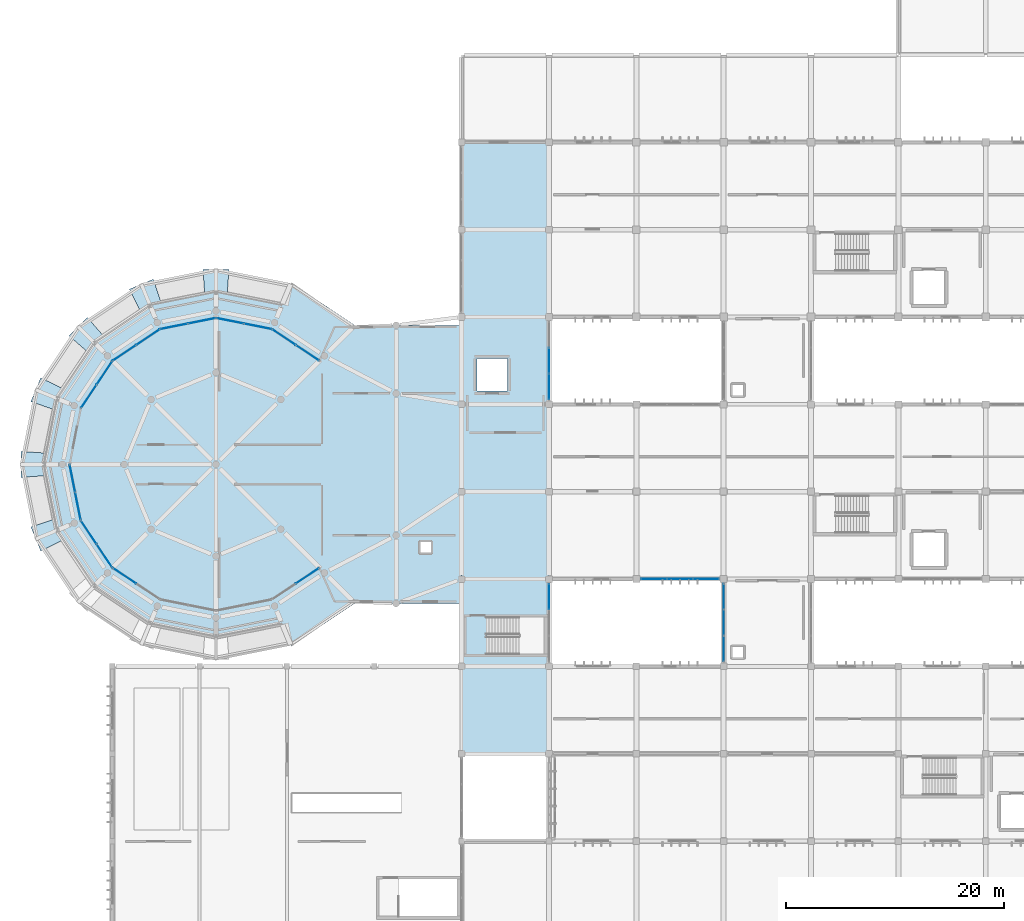
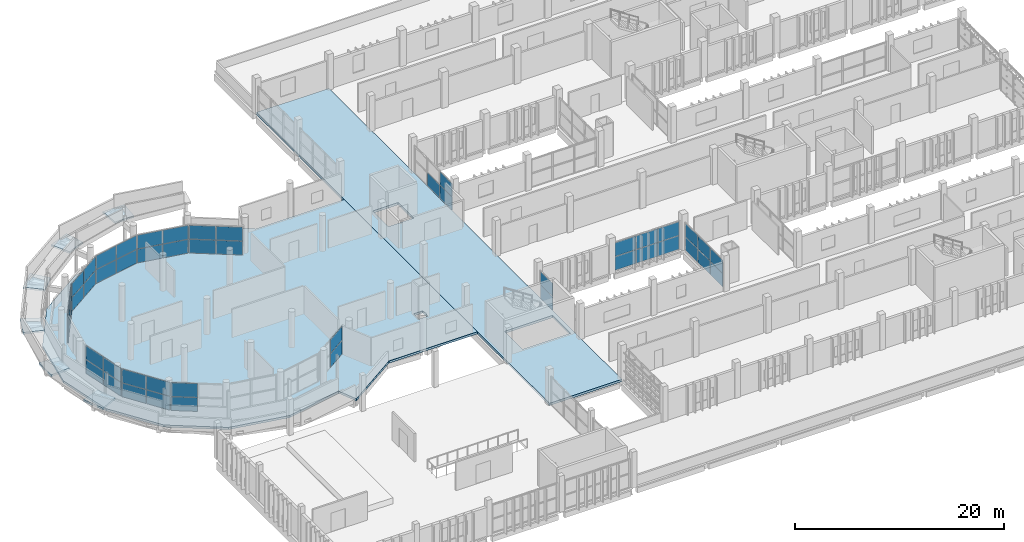
# One storey, part 91 of 137: 49 plates, 8 slabs, 14 elements without a shape of their own.
"""IFC4 building model written with IfcOpenShell, lengths in metres."""

from ifc_helpers import new_model, si_unit, direction, frame, origin, origin_2d, place, context, subcontext, project, spatial, polyline, rectangle, outline, extrude, material, layer, layer_set, type_object, element, aggregate, save


model = new_model("IFC4")

# Units and contexts
model_context = context("Model", 3, precision=1e-05, world=origin(), true_north=direction((0.0, 1.0)))
body_context = subcontext(model_context, "Body", "Model", "MODEL_VIEW")
ifc_project = project(units=[si_unit("LENGTHUNIT", "METRE"), si_unit("AREAUNIT", "SQUARE_METRE"), si_unit("VOLUMEUNIT", "CUBIC_METRE"), si_unit("PLANEANGLEUNIT", "RADIAN"), si_unit("MASSUNIT", "GRAM", prefix="KILO")], contexts=[model_context])

# Site, building, storey
site_placement = place(None, origin())
site = spatial("IfcSite", under=ifc_project, at=site_placement, CompositionType="ELEMENT")
building_placement = place(site_placement, origin())
building = spatial("IfcBuilding", under=site, at=building_placement, Name="Jelvoka-Kovrelna Polytechnic", CompositionType="ELEMENT")
storey_placement = place(building_placement, frame((0.0, 0.0, 9.60009765625)))
storey = spatial("IfcBuildingStorey", under=building, at=storey_placement, Name="L03", CompositionType="ELEMENT", Elevation=9.60009765625)

# Curtain wall, plates
ifc_material_1 = material(Name="Anodised aluminium 6063-T6", Category="aluminium")
ifc_layer_1 = layer(ifc_material_1, 0.159912109375)
ifc_layer_set_1 = layer_set([ifc_layer_1], Name="Anodised aluminium 6063-T6")
curtain_wall_type_1 = type_object("IfcCurtainWallType", Name="CW_Recessed_A", PredefinedType="NOTDEFINED", material=ifc_layer_set_1)
curtain_wall_1_placement = place(storey_placement, origin())
curtain_wall_1 = element("IfcCurtainWall", 1, at=curtain_wall_1_placement, inside=storey, type_object=curtain_wall_type_1, Name="L03 glazed curtain wall 021", PredefinedType="NOTDEFINED")
ifc_material_2 = material(Name="Solar-control double glazing", Category="glass")
ifc_layer_2 = layer(ifc_material_2, 0.028076171875)
ifc_layer_set_2 = layer_set([ifc_layer_2], Name="Solar-control double glazing")
plate_type_1 = type_object("IfcPlateType", Name="Panel_GP-01", PredefinedType="CURTAIN_PANEL", material=ifc_layer_set_2)
plate_1_placement = place(storey_placement, frame((70.385009765625, 32.0, 0.052001953125), z_axis=(0.0, 0.0, 1.0), x_axis=(-1.0, 0.0, 0.0)))
plate_1 = element("IfcPlate", 2, at=plate_1_placement, type_object=plate_type_1, Name="CW-01 panel 1.1", PredefinedType="CURTAIN_PANEL", context=body_context, shape_type="SweptSolid", body=[
    extrude(rectangle(XDim=2.326171875, YDim=0.028076171875, at=origin_2d()), origin(), (0.0, 0.0, 1.0), 1.588623046875),
])
plate_2_placement = place(storey_placement, frame((70.385009765625, 32.0, 1.684326171875), z_axis=(0.0, 0.0, 1.0), x_axis=(-1.0, 0.0, 0.0)))
plate_2 = element("IfcPlate", 3, at=plate_2_placement, type_object=plate_type_1, Name="CW-01 panel 1.2", PredefinedType="CURTAIN_PANEL", context=body_context, shape_type="SweptSolid", body=[
    extrude(rectangle(XDim=2.326171875, YDim=0.028076171875, at=origin_2d()), origin(), (0.0, 0.0, 1.0), 1.588623046875),
])
plate_3_placement = place(storey_placement, frame((68.0, 32.0, 0.052001953125), z_axis=(0.0, 0.0, 1.0), x_axis=(-1.0, 0.0, 0.0)))
plate_3 = element("IfcPlate", 4, at=plate_3_placement, type_object=plate_type_1, Name="CW-01 panel 2.1", PredefinedType="CURTAIN_PANEL", context=body_context, shape_type="SweptSolid", body=[
    extrude(rectangle(XDim=2.356201171875, YDim=0.028076171875, at=origin_2d()), origin(), (0.0, 0.0, 1.0), 1.588623046875),
])
plate_4_placement = place(storey_placement, frame((68.0, 32.0, 1.684326171875), z_axis=(0.0, 0.0, 1.0), x_axis=(-1.0, 0.0, 0.0)))
plate_4 = element("IfcPlate", 5, at=plate_4_placement, type_object=plate_type_1, Name="CW-01 panel 2.2", PredefinedType="CURTAIN_PANEL", context=body_context, shape_type="SweptSolid", body=[
    extrude(rectangle(XDim=2.356201171875, YDim=0.028076171875, at=origin_2d()), origin(), (0.0, 0.0, 1.0), 1.588623046875),
])
plate_5_placement = place(storey_placement, frame((65.614990234375, 32.0, 0.052001953125), z_axis=(0.0, 0.0, 1.0), x_axis=(-1.0, 0.0, 0.0)))
plate_5 = element("IfcPlate", 6, at=plate_5_placement, type_object=plate_type_1, Name="CW-01 panel 3.1", PredefinedType="CURTAIN_PANEL", context=body_context, shape_type="SweptSolid", body=[
    extrude(rectangle(XDim=2.326171875, YDim=0.028076171875, at=origin_2d()), origin(), (0.0, 0.0, 1.0), 1.588623046875),
])
plate_6_placement = place(storey_placement, frame((65.614990234375, 32.0, 1.684326171875), z_axis=(0.0, 0.0, 1.0), x_axis=(-1.0, 0.0, 0.0)))
plate_6 = element("IfcPlate", 7, at=plate_6_placement, type_object=plate_type_1, Name="CW-01 panel 3.2", PredefinedType="CURTAIN_PANEL", context=body_context, shape_type="SweptSolid", body=[
    extrude(rectangle(XDim=2.326171875, YDim=0.028076171875, at=origin_2d()), origin(), (0.0, 0.0, 1.0), 1.588623046875),
])
aggregate(curtain_wall_1, [plate_1, plate_2, plate_3, plate_4, plate_5, plate_6])

ifc_material_3 = material(Name="Anodised aluminium 6063-T6", Category="aluminium")
ifc_layer_3 = layer(ifc_material_3, 0.159912109375)
ifc_layer_set_3 = layer_set([ifc_layer_3], Name="Anodised aluminium 6063-T6")
curtain_wall_type_2 = type_object("IfcCurtainWallType", Name="CW_LinkBridge", PredefinedType="NOTDEFINED", material=ifc_layer_set_3)
curtain_wall_2_placement = place(storey_placement, origin())
curtain_wall_2 = element("IfcCurtainWall", 8, at=curtain_wall_2_placement, inside=storey, type_object=curtain_wall_type_2, Name="L03 glazed curtain wall 124", PredefinedType="NOTDEFINED")
ifc_material_4 = material(Name="Solar-control double glazing", Category="glass")
ifc_layer_4 = layer(ifc_material_4, 0.02392578125)
ifc_layer_set_4 = layer_set([ifc_layer_4], Name="Solar-control double glazing")
plate_type_2 = type_object("IfcPlateType", Name="Panel_GP-04", PredefinedType="CURTAIN_PANEL", material=ifc_layer_set_4)
plate_7_placement = place(storey_placement, frame((72.0, 25.614990234375, 0.0517578125), z_axis=(0.0, 0.0, 1.0), x_axis=(0.0, 1.0, 0.0)))
plate_7 = element("IfcPlate", 9, at=plate_7_placement, type_object=plate_type_2, Name="CW-04 panel 1.1", PredefinedType="CURTAIN_PANEL", context=body_context, shape_type="SweptSolid", body=[
    extrude(rectangle(XDim=2.326171875, YDim=0.02392578125, at=origin_2d()), origin(), (0.0, 0.0, 1.0), 1.53857421875),
])
plate_8_placement = place(storey_placement, frame((72.0, 25.614990234375, 1.63427734375), z_axis=(0.0, 0.0, 1.0), x_axis=(0.0, 1.0, 0.0)))
plate_8 = element("IfcPlate", 10, at=plate_8_placement, type_object=plate_type_2, Name="CW-04 panel 1.2", PredefinedType="CURTAIN_PANEL", context=body_context, shape_type="SweptSolid", body=[
    extrude(rectangle(XDim=2.326171875, YDim=0.02392578125, at=origin_2d()), origin(), (0.0, 0.0, 1.0), 1.53857421875),
])
plate_9_placement = place(storey_placement, frame((72.0, 28.0, 0.0517578125), z_axis=(0.0, 0.0, 1.0), x_axis=(0.0, 1.0, 0.0)))
plate_9 = element("IfcPlate", 11, at=plate_9_placement, type_object=plate_type_2, Name="CW-04 panel 2.1", PredefinedType="CURTAIN_PANEL", context=body_context, shape_type="SweptSolid", body=[
    extrude(rectangle(XDim=2.356201171875, YDim=0.02392578125, at=origin_2d()), origin(), (0.0, 0.0, 1.0), 1.53857421875),
])
plate_10_placement = place(storey_placement, frame((72.0, 28.0, 1.63427734375), z_axis=(0.0, 0.0, 1.0), x_axis=(0.0, 1.0, 0.0)))
plate_10 = element("IfcPlate", 12, at=plate_10_placement, type_object=plate_type_2, Name="CW-04 panel 2.2", PredefinedType="CURTAIN_PANEL", context=body_context, shape_type="SweptSolid", body=[
    extrude(rectangle(XDim=2.356201171875, YDim=0.02392578125, at=origin_2d()), origin(), (0.0, 0.0, 1.0), 1.53857421875),
])
plate_11_placement = place(storey_placement, frame((72.0, 30.385009765625, 0.0517578125), z_axis=(0.0, 0.0, 1.0), x_axis=(0.0, 1.0, 0.0)))
plate_11 = element("IfcPlate", 13, at=plate_11_placement, type_object=plate_type_2, Name="CW-04 panel 3.1", PredefinedType="CURTAIN_PANEL", context=body_context, shape_type="SweptSolid", body=[
    extrude(rectangle(XDim=2.326171875, YDim=0.02392578125, at=origin_2d()), origin(), (0.0, 0.0, 1.0), 1.53857421875),
])
plate_12_placement = place(storey_placement, frame((72.0, 30.385009765625, 1.63427734375), z_axis=(0.0, 0.0, 1.0), x_axis=(0.0, 1.0, 0.0)))
plate_12 = element("IfcPlate", 14, at=plate_12_placement, type_object=plate_type_2, Name="CW-04 panel 3.2", PredefinedType="CURTAIN_PANEL", context=body_context, shape_type="SweptSolid", body=[
    extrude(rectangle(XDim=2.326171875, YDim=0.02392578125, at=origin_2d()), origin(), (0.0, 0.0, 1.0), 1.53857421875),
])
aggregate(curtain_wall_2, [plate_7, plate_8, plate_9, plate_10, plate_11, plate_12])

ifc_material_5 = material(Name="Anodised aluminium 6063-T6", Category="aluminium")
ifc_layer_5 = layer(ifc_material_5, 0.179931640625)
ifc_layer_set_5 = layer_set([ifc_layer_5], Name="Anodised aluminium 6063-T6")
curtain_wall_type_3 = type_object("IfcCurtainWallType", Name="CW_Pavilion", PredefinedType="NOTDEFINED", material=ifc_layer_set_5)
curtain_wall_3_placement = place(storey_placement, origin())
curtain_wall_3 = element("IfcCurtainWall", 15, at=curtain_wall_3_placement, inside=storey, type_object=curtain_wall_type_3, Name="L03 glazed curtain wall 128", PredefinedType="NOTDEFINED")
ifc_material_6 = material(Name="Solar-control double glazing", Category="glass")
ifc_layer_6 = layer(ifc_material_6, 0.030029296875)
ifc_layer_set_6 = layer_set([ifc_layer_6], Name="Solar-control double glazing")
plate_type_3 = type_object("IfcPlateType", Name="Panel_GP-05", PredefinedType="CURTAIN_PANEL", material=ifc_layer_set_6)
plate_13_placement = place(storey_placement, frame((56.0, 30.3837890625, 0.056884765625), z_axis=(0.0, 0.0, 1.0), x_axis=(0.0, -1.0, 0.0)))
plate_13 = element("IfcPlate", 16, at=plate_13_placement, type_object=plate_type_3, Name="CW-05 panel 1.1", PredefinedType="CURTAIN_PANEL", context=body_context, shape_type="SweptSolid", body=[
    extrude(rectangle(XDim=2.318603515625, YDim=0.030029296875, at=origin_2d()), origin(), (0.0, 0.0, 1.0), 1.531005859375),
])
plate_14_placement = place(storey_placement, frame((56.0, 30.3837890625, 1.636962890625), z_axis=(0.0, 0.0, 1.0), x_axis=(0.0, -1.0, 0.0)))
plate_14 = element("IfcPlate", 17, at=plate_14_placement, type_object=plate_type_3, Name="CW-05 panel 1.2", PredefinedType="CURTAIN_PANEL", context=body_context, shape_type="SweptSolid", body=[
    extrude(rectangle(XDim=2.318603515625, YDim=0.030029296875, at=origin_2d()), origin(), (0.0, 0.0, 1.0), 1.531005859375),
])
aggregate(curtain_wall_3, [plate_13, plate_14])

curtain_wall_4_placement = place(storey_placement, origin())
curtain_wall_4 = element("IfcCurtainWall", 18, at=curtain_wall_4_placement, inside=storey, type_object=curtain_wall_type_3, Name="L03 glazed curtain wall 129", PredefinedType="NOTDEFINED")
plate_15_placement = place(storey_placement, frame((56.0, 52.0, 0.056884765625), z_axis=(0.0, 0.0, 1.0), x_axis=(0.0, -1.0, 0.0)))
plate_15 = element("IfcPlate", 19, at=plate_15_placement, type_object=plate_type_3, Name="CW-05 panel 2.1", PredefinedType="CURTAIN_PANEL", context=body_context, shape_type="SweptSolid", body=[
    extrude(rectangle(XDim=2.35107421875, YDim=0.030029296875, at=origin_2d()), origin(), (0.0, 0.0, 1.0), 1.531005859375),
])
plate_16_placement = place(storey_placement, frame((56.0, 49.6162109375, 0.056884765625), z_axis=(0.0, 0.0, 1.0), x_axis=(0.0, -1.0, 0.0)))
plate_16 = element("IfcPlate", 20, at=plate_16_placement, type_object=plate_type_3, Name="CW-05 panel 3.1", PredefinedType="CURTAIN_PANEL", context=body_context, shape_type="SweptSolid", body=[
    extrude(rectangle(XDim=2.318603515625, YDim=0.030029296875, at=origin_2d()), origin(), (0.0, 0.0, 1.0), 1.531005859375),
])
plate_17_placement = place(storey_placement, frame((56.0, 49.6162109375, 1.636962890625), z_axis=(0.0, 0.0, 1.0), x_axis=(0.0, -1.0, 0.0)))
plate_17 = element("IfcPlate", 21, at=plate_17_placement, type_object=plate_type_3, Name="CW-05 panel 3.2", PredefinedType="CURTAIN_PANEL", context=body_context, shape_type="SweptSolid", body=[
    extrude(rectangle(XDim=2.318603515625, YDim=0.030029296875, at=origin_2d()), origin(), (0.0, 0.0, 1.0), 1.531005859375),
])
aggregate(curtain_wall_4, [plate_15, plate_16, plate_17])

curtain_wall_5_placement = place(storey_placement, origin())
curtain_wall_5 = element("IfcCurtainWall", 22, at=curtain_wall_5_placement, inside=storey, type_object=curtain_wall_type_3, Name="L03 glazed curtain wall 233", PredefinedType="NOTDEFINED")
plate_18_placement = place(storey_placement, frame((31.728271484375, 54.144775390625, 0.056884765625), z_axis=(0.0, 0.0, 1.0), x_axis=(0.83146132254, -0.555582639326, 0.0)))
plate_18 = element("IfcPlate", 23, at=plate_18_placement, type_object=plate_type_3, Name="CW-05 panel 1.1", PredefinedType="CURTAIN_PANEL", context=body_context, shape_type="SweptSolid", body=[
    extrude(rectangle(XDim=2.53271484375, YDim=0.030029296875, at=origin_2d()), origin(), (0.0, 0.0, 1.0), 1.593505859375),
])
plate_19_placement = place(storey_placement, frame((31.728271484375, 54.144775390625, 1.699462890625), z_axis=(0.0, 0.0, 1.0), x_axis=(0.83146132254, -0.555582639326, 0.0)))
plate_19 = element("IfcPlate", 24, at=plate_19_placement, type_object=plate_type_3, Name="CW-05 panel 1.2", PredefinedType="CURTAIN_PANEL", context=body_context, shape_type="SweptSolid", body=[
    extrude(rectangle(XDim=2.53271484375, YDim=0.030029296875, at=origin_2d()), origin(), (0.0, 0.0, 1.0), 1.593505859375),
])
plate_20_placement = place(storey_placement, frame((33.875, 52.71044921875, 0.056884765625), z_axis=(0.0, 0.0, 1.0), x_axis=(0.83146132254, -0.555582639326, 0.0)))
plate_20 = element("IfcPlate", 25, at=plate_20_placement, type_object=plate_type_3, Name="CW-05 panel 2.1", PredefinedType="CURTAIN_PANEL", context=body_context, shape_type="SweptSolid", body=[
    extrude(rectangle(XDim=2.53271484375, YDim=0.030029296875, at=origin_2d()), origin(), (0.0, 0.0, 1.0), 1.593505859375),
])
plate_21_placement = place(storey_placement, frame((33.875, 52.71044921875, 1.699462890625), z_axis=(0.0, 0.0, 1.0), x_axis=(0.83146132254, -0.555582639326, 0.0)))
plate_21 = element("IfcPlate", 26, at=plate_21_placement, type_object=plate_type_3, Name="CW-05 panel 2.2", PredefinedType="CURTAIN_PANEL", context=body_context, shape_type="SweptSolid", body=[
    extrude(rectangle(XDim=2.53271484375, YDim=0.030029296875, at=origin_2d()), origin(), (0.0, 0.0, 1.0), 1.593505859375),
])
aggregate(curtain_wall_5, [plate_18, plate_19, plate_20, plate_21])

curtain_wall_6_placement = place(storey_placement, origin())
curtain_wall_6 = element("IfcCurtainWall", 27, at=curtain_wall_6_placement, inside=storey, type_object=curtain_wall_type_3, Name="L03 glazed curtain wall 234", PredefinedType="NOTDEFINED")
plate_22_placement = place(storey_placement, frame((26.7978515625, 55.641845703125, 0.056884765625), z_axis=(0.0, 0.0, 1.0), x_axis=(0.980786108197, -0.195086160371, 0.0)))
plate_22 = element("IfcPlate", 28, at=plate_22_placement, type_object=plate_type_3, Name="CW-05 panel 1.1", PredefinedType="CURTAIN_PANEL", context=body_context, shape_type="SweptSolid", body=[
    extrude(rectangle(XDim=2.532958984375, YDim=0.030029296875, at=origin_2d()), origin(), (0.0, 0.0, 1.0), 1.593505859375),
])
plate_23_placement = place(storey_placement, frame((26.7978515625, 55.641845703125, 1.699462890625), z_axis=(0.0, 0.0, 1.0), x_axis=(0.980786108197, -0.195086160371, 0.0)))
plate_23 = element("IfcPlate", 29, at=plate_23_placement, type_object=plate_type_3, Name="CW-05 panel 1.2", PredefinedType="CURTAIN_PANEL", context=body_context, shape_type="SweptSolid", body=[
    extrude(rectangle(XDim=2.532958984375, YDim=0.030029296875, at=origin_2d()), origin(), (0.0, 0.0, 1.0), 1.593505859375),
])
plate_24_placement = place(storey_placement, frame((29.330078125, 55.13818359375, 0.056884765625), z_axis=(0.0, 0.0, 1.0), x_axis=(0.980786108197, -0.195086160371, 0.0)))
plate_24 = element("IfcPlate", 30, at=plate_24_placement, type_object=plate_type_3, Name="CW-05 panel 2.1", PredefinedType="CURTAIN_PANEL", context=body_context, shape_type="SweptSolid", body=[
    extrude(rectangle(XDim=2.532958984375, YDim=0.030029296875, at=origin_2d()), origin(), (0.0, 0.0, 1.0), 1.593505859375),
])
plate_25_placement = place(storey_placement, frame((29.330078125, 55.13818359375, 1.699462890625), z_axis=(0.0, 0.0, 1.0), x_axis=(0.980786108197, -0.195086160371, 0.0)))
plate_25 = element("IfcPlate", 31, at=plate_25_placement, type_object=plate_type_3, Name="CW-05 panel 2.2", PredefinedType="CURTAIN_PANEL", context=body_context, shape_type="SweptSolid", body=[
    extrude(rectangle(XDim=2.532958984375, YDim=0.030029296875, at=origin_2d()), origin(), (0.0, 0.0, 1.0), 1.593505859375),
])
aggregate(curtain_wall_6, [plate_22, plate_23, plate_24, plate_25])

curtain_wall_7_placement = place(storey_placement, origin())
curtain_wall_7 = element("IfcCurtainWall", 32, at=curtain_wall_7_placement, inside=storey, type_object=curtain_wall_type_3, Name="L03 glazed curtain wall 235", PredefinedType="NOTDEFINED")
plate_26_placement = place(storey_placement, frame((21.669921875, 55.13818359375, 0.056884765625), z_axis=(0.0, 0.0, 1.0), x_axis=(0.980786108197, 0.195086160371, 0.0)))
plate_26 = element("IfcPlate", 33, at=plate_26_placement, type_object=plate_type_3, Name="CW-05 panel 1.1", PredefinedType="CURTAIN_PANEL", context=body_context, shape_type="SweptSolid", body=[
    extrude(rectangle(XDim=2.532958984375, YDim=0.030029296875, at=origin_2d()), origin(), (0.0, 0.0, 1.0), 1.593505859375),
])
plate_27_placement = place(storey_placement, frame((21.669921875, 55.13818359375, 1.699462890625), z_axis=(0.0, 0.0, 1.0), x_axis=(0.980786108197, 0.195086160371, 0.0)))
plate_27 = element("IfcPlate", 34, at=plate_27_placement, type_object=plate_type_3, Name="CW-05 panel 1.2", PredefinedType="CURTAIN_PANEL", context=body_context, shape_type="SweptSolid", body=[
    extrude(rectangle(XDim=2.532958984375, YDim=0.030029296875, at=origin_2d()), origin(), (0.0, 0.0, 1.0), 1.593505859375),
])
plate_28_placement = place(storey_placement, frame((24.2021484375, 55.641845703125, 0.056884765625), z_axis=(0.0, 0.0, 1.0), x_axis=(0.980786108197, 0.195086160371, 0.0)))
plate_28 = element("IfcPlate", 35, at=plate_28_placement, type_object=plate_type_3, Name="CW-05 panel 2.1", PredefinedType="CURTAIN_PANEL", context=body_context, shape_type="SweptSolid", body=[
    extrude(rectangle(XDim=2.532958984375, YDim=0.030029296875, at=origin_2d()), origin(), (0.0, 0.0, 1.0), 1.593505859375),
])
plate_29_placement = place(storey_placement, frame((24.2021484375, 55.641845703125, 1.699462890625), z_axis=(0.0, 0.0, 1.0), x_axis=(0.980786108197, 0.195086160371, 0.0)))
plate_29 = element("IfcPlate", 36, at=plate_29_placement, type_object=plate_type_3, Name="CW-05 panel 2.2", PredefinedType="CURTAIN_PANEL", context=body_context, shape_type="SweptSolid", body=[
    extrude(rectangle(XDim=2.532958984375, YDim=0.030029296875, at=origin_2d()), origin(), (0.0, 0.0, 1.0), 1.593505859375),
])
aggregate(curtain_wall_7, [plate_26, plate_27, plate_28, plate_29])

curtain_wall_8_placement = place(storey_placement, origin())
curtain_wall_8 = element("IfcCurtainWall", 37, at=curtain_wall_8_placement, inside=storey, type_object=curtain_wall_type_3, Name="L03 glazed curtain wall 236", PredefinedType="NOTDEFINED")
plate_30_placement = place(storey_placement, frame((17.125, 52.71044921875, 0.056884765625), z_axis=(0.0, 0.0, 1.0), x_axis=(0.83146132254, 0.555582639326, 0.0)))
plate_30 = element("IfcPlate", 38, at=plate_30_placement, type_object=plate_type_3, Name="CW-05 panel 1.1", PredefinedType="CURTAIN_PANEL", context=body_context, shape_type="SweptSolid", body=[
    extrude(rectangle(XDim=2.53271484375, YDim=0.030029296875, at=origin_2d()), origin(), (0.0, 0.0, 1.0), 1.593505859375),
])
plate_31_placement = place(storey_placement, frame((17.125, 52.71044921875, 1.699462890625), z_axis=(0.0, 0.0, 1.0), x_axis=(0.83146132254, 0.555582639326, 0.0)))
plate_31 = element("IfcPlate", 39, at=plate_31_placement, type_object=plate_type_3, Name="CW-05 panel 1.2", PredefinedType="CURTAIN_PANEL", context=body_context, shape_type="SweptSolid", body=[
    extrude(rectangle(XDim=2.53271484375, YDim=0.030029296875, at=origin_2d()), origin(), (0.0, 0.0, 1.0), 1.593505859375),
])
plate_32_placement = place(storey_placement, frame((19.271728515625, 54.144775390625, 0.056884765625), z_axis=(0.0, 0.0, 1.0), x_axis=(0.83146132254, 0.555582639326, 0.0)))
plate_32 = element("IfcPlate", 40, at=plate_32_placement, type_object=plate_type_3, Name="CW-05 panel 2.1", PredefinedType="CURTAIN_PANEL", context=body_context, shape_type="SweptSolid", body=[
    extrude(rectangle(XDim=2.53271484375, YDim=0.030029296875, at=origin_2d()), origin(), (0.0, 0.0, 1.0), 1.593505859375),
])
plate_33_placement = place(storey_placement, frame((19.271728515625, 54.144775390625, 1.699462890625), z_axis=(0.0, 0.0, 1.0), x_axis=(0.83146132254, 0.555582639326, 0.0)))
plate_33 = element("IfcPlate", 41, at=plate_33_placement, type_object=plate_type_3, Name="CW-05 panel 2.2", PredefinedType="CURTAIN_PANEL", context=body_context, shape_type="SweptSolid", body=[
    extrude(rectangle(XDim=2.53271484375, YDim=0.030029296875, at=origin_2d()), origin(), (0.0, 0.0, 1.0), 1.593505859375),
])
aggregate(curtain_wall_8, [plate_30, plate_31, plate_32, plate_33])

curtain_wall_9_placement = place(storey_placement, origin())
curtain_wall_9 = element("IfcCurtainWall", 42, at=curtain_wall_9_placement, inside=storey, type_object=curtain_wall_type_3, Name="L03 glazed curtain wall 237", PredefinedType="NOTDEFINED")
plate_34_placement = place(storey_placement, frame((13.855224609375, 48.728271484375, 0.056884765625), z_axis=(0.0, 0.0, 1.0), x_axis=(0.555582639326, 0.83146132254, 0.0)))
plate_34 = element("IfcPlate", 43, at=plate_34_placement, type_object=plate_type_3, Name="CW-05 panel 1.1", PredefinedType="CURTAIN_PANEL", context=body_context, shape_type="SweptSolid", body=[
    extrude(rectangle(XDim=2.53271484375, YDim=0.030029296875, at=origin_2d()), origin(), (0.0, 0.0, 1.0), 1.593505859375),
])
plate_35_placement = place(storey_placement, frame((13.855224609375, 48.728271484375, 1.699462890625), z_axis=(0.0, 0.0, 1.0), x_axis=(0.555582639326, 0.83146132254, 0.0)))
plate_35 = element("IfcPlate", 44, at=plate_35_placement, type_object=plate_type_3, Name="CW-05 panel 1.2", PredefinedType="CURTAIN_PANEL", context=body_context, shape_type="SweptSolid", body=[
    extrude(rectangle(XDim=2.53271484375, YDim=0.030029296875, at=origin_2d()), origin(), (0.0, 0.0, 1.0), 1.593505859375),
])
plate_36_placement = place(storey_placement, frame((15.28955078125, 50.875, 0.056884765625), z_axis=(0.0, 0.0, 1.0), x_axis=(0.555582639326, 0.83146132254, 0.0)))
plate_36 = element("IfcPlate", 45, at=plate_36_placement, type_object=plate_type_3, Name="CW-05 panel 2.1", PredefinedType="CURTAIN_PANEL", context=body_context, shape_type="SweptSolid", body=[
    extrude(rectangle(XDim=2.53271484375, YDim=0.030029296875, at=origin_2d()), origin(), (0.0, 0.0, 1.0), 1.593505859375),
])
plate_37_placement = place(storey_placement, frame((15.28955078125, 50.875, 1.699462890625), z_axis=(0.0, 0.0, 1.0), x_axis=(0.555582639326, 0.83146132254, 0.0)))
plate_37 = element("IfcPlate", 46, at=plate_37_placement, type_object=plate_type_3, Name="CW-05 panel 2.2", PredefinedType="CURTAIN_PANEL", context=body_context, shape_type="SweptSolid", body=[
    extrude(rectangle(XDim=2.53271484375, YDim=0.030029296875, at=origin_2d()), origin(), (0.0, 0.0, 1.0), 1.593505859375),
])
aggregate(curtain_wall_9, [plate_34, plate_35, plate_36, plate_37])

curtain_wall_10_placement = place(storey_placement, origin())
curtain_wall_10 = element("IfcCurtainWall", 47, at=curtain_wall_10_placement, inside=storey, type_object=curtain_wall_type_3, Name="L03 glazed curtain wall 238", PredefinedType="NOTDEFINED")
plate_38_placement = place(storey_placement, frame((12.86181640625, 38.669921875, 0.056884765625), z_axis=(0.0, 0.0, 1.0), x_axis=(-0.195086160371, 0.980786108197, 0.0)))
plate_38 = element("IfcPlate", 48, at=plate_38_placement, type_object=plate_type_3, Name="CW-05 panel 1.1", PredefinedType="CURTAIN_PANEL", context=body_context, shape_type="SweptSolid", body=[
    extrude(rectangle(XDim=2.532958984375, YDim=0.030029296875, at=origin_2d()), origin(), (0.0, 0.0, 1.0), 1.593505859375),
])
plate_39_placement = place(storey_placement, frame((12.86181640625, 38.669921875, 1.699462890625), z_axis=(0.0, 0.0, 1.0), x_axis=(-0.195086160371, 0.980786108197, 0.0)))
plate_39 = element("IfcPlate", 49, at=plate_39_placement, type_object=plate_type_3, Name="CW-05 panel 1.2", PredefinedType="CURTAIN_PANEL", context=body_context, shape_type="SweptSolid", body=[
    extrude(rectangle(XDim=2.532958984375, YDim=0.030029296875, at=origin_2d()), origin(), (0.0, 0.0, 1.0), 1.593505859375),
])
plate_40_placement = place(storey_placement, frame((12.358154296875, 41.2021484375, 0.056884765625), z_axis=(0.0, 0.0, 1.0), x_axis=(-0.195086160371, 0.980786108197, 0.0)))
plate_40 = element("IfcPlate", 50, at=plate_40_placement, type_object=plate_type_3, Name="CW-05 panel 2.1", PredefinedType="CURTAIN_PANEL", context=body_context, shape_type="SweptSolid", body=[
    extrude(rectangle(XDim=2.532958984375, YDim=0.030029296875, at=origin_2d()), origin(), (0.0, 0.0, 1.0), 1.593505859375),
])
plate_41_placement = place(storey_placement, frame((12.358154296875, 41.2021484375, 1.699462890625), z_axis=(0.0, 0.0, 1.0), x_axis=(-0.195086160371, 0.980786108197, 0.0)))
plate_41 = element("IfcPlate", 51, at=plate_41_placement, type_object=plate_type_3, Name="CW-05 panel 2.2", PredefinedType="CURTAIN_PANEL", context=body_context, shape_type="SweptSolid", body=[
    extrude(rectangle(XDim=2.532958984375, YDim=0.030029296875, at=origin_2d()), origin(), (0.0, 0.0, 1.0), 1.593505859375),
])
aggregate(curtain_wall_10, [plate_38, plate_39, plate_40, plate_41])

curtain_wall_11_placement = place(storey_placement, origin())
curtain_wall_11 = element("IfcCurtainWall", 52, at=curtain_wall_11_placement, inside=storey, type_object=curtain_wall_type_3, Name="L03 glazed curtain wall 239", PredefinedType="NOTDEFINED")
plate_42_placement = place(storey_placement, frame((15.28955078125, 34.125, 0.056884765625), z_axis=(0.0, 0.0, 1.0), x_axis=(-0.555582639326, 0.83146132254, 0.0)))
plate_42 = element("IfcPlate", 53, at=plate_42_placement, type_object=plate_type_3, Name="CW-05 panel 1.1", PredefinedType="CURTAIN_PANEL", context=body_context, shape_type="SweptSolid", body=[
    extrude(rectangle(XDim=2.53271484375, YDim=0.030029296875, at=origin_2d()), origin(), (0.0, 0.0, 1.0), 1.593505859375),
])
plate_43_placement = place(storey_placement, frame((15.28955078125, 34.125, 1.699462890625), z_axis=(0.0, 0.0, 1.0), x_axis=(-0.555582639326, 0.83146132254, 0.0)))
plate_43 = element("IfcPlate", 54, at=plate_43_placement, type_object=plate_type_3, Name="CW-05 panel 1.2", PredefinedType="CURTAIN_PANEL", context=body_context, shape_type="SweptSolid", body=[
    extrude(rectangle(XDim=2.53271484375, YDim=0.030029296875, at=origin_2d()), origin(), (0.0, 0.0, 1.0), 1.593505859375),
])
plate_44_placement = place(storey_placement, frame((13.855224609375, 36.271728515625, 0.056884765625), z_axis=(0.0, 0.0, 1.0), x_axis=(-0.555582639326, 0.83146132254, 0.0)))
plate_44 = element("IfcPlate", 55, at=plate_44_placement, type_object=plate_type_3, Name="CW-05 panel 2.1", PredefinedType="CURTAIN_PANEL", context=body_context, shape_type="SweptSolid", body=[
    extrude(rectangle(XDim=2.53271484375, YDim=0.030029296875, at=origin_2d()), origin(), (0.0, 0.0, 1.0), 1.593505859375),
])
plate_45_placement = place(storey_placement, frame((13.855224609375, 36.271728515625, 1.699462890625), z_axis=(0.0, 0.0, 1.0), x_axis=(-0.555582639326, 0.83146132254, 0.0)))
plate_45 = element("IfcPlate", 56, at=plate_45_placement, type_object=plate_type_3, Name="CW-05 panel 2.2", PredefinedType="CURTAIN_PANEL", context=body_context, shape_type="SweptSolid", body=[
    extrude(rectangle(XDim=2.53271484375, YDim=0.030029296875, at=origin_2d()), origin(), (0.0, 0.0, 1.0), 1.593505859375),
])
aggregate(curtain_wall_11, [plate_42, plate_43, plate_44, plate_45])

curtain_wall_12_placement = place(storey_placement, origin())
curtain_wall_12 = element("IfcCurtainWall", 57, at=curtain_wall_12_placement, inside=storey, type_object=curtain_wall_type_3, Name="L03 glazed curtain wall 240", PredefinedType="NOTDEFINED")
plate_46_placement = place(storey_placement, frame((17.125, 32.28955078125, 0.056884765625), z_axis=(0.0, 0.0, 1.0), x_axis=(-0.83146132254, 0.555582639326, 0.0)))
plate_46 = element("IfcPlate", 58, at=plate_46_placement, type_object=plate_type_3, Name="CW-05 panel 2.1", PredefinedType="CURTAIN_PANEL", context=body_context, shape_type="SweptSolid", body=[
    extrude(rectangle(XDim=2.53271484375, YDim=0.030029296875, at=origin_2d()), origin(), (0.0, 0.0, 1.0), 1.593505859375),
])
plate_47_placement = place(storey_placement, frame((17.125, 32.28955078125, 1.699462890625), z_axis=(0.0, 0.0, 1.0), x_axis=(-0.83146132254, 0.555582639326, 0.0)))
plate_47 = element("IfcPlate", 59, at=plate_47_placement, type_object=plate_type_3, Name="CW-05 panel 2.2", PredefinedType="CURTAIN_PANEL", context=body_context, shape_type="SweptSolid", body=[
    extrude(rectangle(XDim=2.53271484375, YDim=0.030029296875, at=origin_2d()), origin(), (0.0, 0.0, 1.0), 1.593505859375),
])
aggregate(curtain_wall_12, [plate_46, plate_47])

curtain_wall_13_placement = place(storey_placement, origin())
curtain_wall_13 = element("IfcCurtainWall", 60, at=curtain_wall_13_placement, inside=storey, type_object=curtain_wall_type_3, Name="L03 glazed curtain wall 243", PredefinedType="NOTDEFINED")
plate_48_placement = place(storey_placement, frame((33.875, 32.28955078125, 0.056884765625), z_axis=(0.0, 0.0, 1.0), x_axis=(-0.83146132254, -0.555582639326, 0.0)))
plate_48 = element("IfcPlate", 61, at=plate_48_placement, type_object=plate_type_3, Name="CW-05 panel 1.1", PredefinedType="CURTAIN_PANEL", context=body_context, shape_type="SweptSolid", body=[
    extrude(rectangle(XDim=2.53271484375, YDim=0.030029296875, at=origin_2d()), origin(), (0.0, 0.0, 1.0), 1.593505859375),
])
plate_49_placement = place(storey_placement, frame((33.875, 32.28955078125, 1.699462890625), z_axis=(0.0, 0.0, 1.0), x_axis=(-0.83146132254, -0.555582639326, 0.0)))
plate_49 = element("IfcPlate", 62, at=plate_49_placement, type_object=plate_type_3, Name="CW-05 panel 1.2", PredefinedType="CURTAIN_PANEL", context=body_context, shape_type="SweptSolid", body=[
    extrude(rectangle(XDim=2.53271484375, YDim=0.030029296875, at=origin_2d()), origin(), (0.0, 0.0, 1.0), 1.593505859375),
])
aggregate(curtain_wall_13, [plate_48, plate_49])

# Slabs
ifc_material_7 = material(Name="Concrete C35/45", Category="concrete")
ifc_layer_7 = layer(ifc_material_7, 0.25)
ifc_layer_set_7 = layer_set([ifc_layer_7], Name="Concrete C35/45")
slab_type_1 = type_object("IfcSlabType", Name="Slab_Floor_250", PredefinedType="FLOOR", material=ifc_layer_set_7)
slab_1_placement = place(storey_placement, frame((0.0, 0.0, -0.25)))
element("IfcSlab", 63, at=slab_1_placement, inside=storey, type_object=slab_type_1, Name="L03 rotunda gallery slab", PredefinedType="FLOOR", context=body_context, shape_type="SweptSolid", body=[
    extrude(outline(polyline([(48.0, 29.772216796875), (48.0, 55.227783203125), (38.227783203125, 55.227783203125), (32.38818359375, 59.1298828125), (31.5654296875, 57.1435546875), (25.5, 58.35009765625), (19.4345703125, 57.1435546875), (14.29248046875, 53.70751953125), (10.8564453125, 48.5654296875), (9.64990234375, 42.5), (10.8564453125, 36.4345703125), (14.29248046875, 31.29248046875), (19.4345703125, 27.8564453125), (25.5, 26.64990234375), (31.5654296875, 27.8564453125), (32.38818359375, 25.8701171875), (38.227783203125, 29.772216796875), (48.0, 29.772216796875)]), holes=[polyline([(44.199951171875, 34.39990234375), (45.199951171875, 34.39990234375), (45.199951171875, 35.39990234375), (44.199951171875, 35.39990234375), (44.199951171875, 34.39990234375)])]), origin(), (0.0, 0.0, 1.0), 0.25),
])
ifc_material_8 = material(Name="Concrete C35/45", Category="concrete")
ifc_layer_8 = layer(ifc_material_8, 0.264892578125)
ifc_layer_set_8 = layer_set([ifc_layer_8], Name="Concrete C35/45")
slab_type_2 = type_object("IfcSlabType", Name="Slab_Floor_265", PredefinedType="FLOOR", material=ifc_layer_set_8)
slab_2_placement = place(storey_placement, frame((0.0, 0.0, -0.26513671875)))
element("IfcSlab", 64, at=slab_2_placement, inside=storey, type_object=slab_type_2, Name="L03 SPINE structural slab", PredefinedType="FLOOR", context=body_context, shape_type="SweptSolid", body=[
    extrude(outline(polyline([(48.0, 16.0), (56.0, 16.0), (56.0, 72.0), (48.0, 72.0), (48.0, 16.0)]), holes=[polyline([(49.39990234375, 49.199951171875), (52.199951171875, 49.199951171875), (52.199951171875, 52.199951171875), (49.39990234375, 52.199951171875), (49.39990234375, 49.199951171875)]), polyline([(50.264892578125, 25.10009765625), (55.60009765625, 25.10009765625), (55.60009765625, 28.5400390625), (50.264892578125, 28.5400390625), (50.264892578125, 25.10009765625)])]), origin(), (0.0, 0.0, 1.0), 0.26513671875),
])

# Ramp, slabs
ifc_material_9 = material(Name="Precast concrete C40/50", Category="concrete")
ramp_type = type_object("IfcRampType", Name="Ramp_Accessible_RC", PredefinedType="SPIRAL_RAMP", material=ifc_material_9)
ramp_placement = place(storey_placement, origin())
ramp = element("IfcRamp", 65, at=ramp_placement, inside=storey, type_object=ramp_type, Name="L03 spiral rotunda accessible ramp", PredefinedType="SPIRAL_RAMP")
ifc_material_10 = material(Name="Precast concrete C40/50", Category="concrete")
ifc_layer_9 = layer(ifc_material_10, 0.219970703125)
ifc_layer_set_9 = layer_set([ifc_layer_9], Name="Precast concrete C40/50")
slab_type_3 = type_object("IfcSlabType", Name="Slab_Ramp_Landing_220", PredefinedType="LANDING", material=ifc_layer_set_9)
slab_3_placement = place(storey_placement, frame((0.0, 0.0, 1.4599609375)))
slab_3 = element("IfcSlab", 66, at=slab_3_placement, type_object=slab_type_3, Name="L03 rotunda curved spiral ramp landing L4", PredefinedType="LANDING", context=body_context, shape_type="SweptSolid", body=[
    extrude(outline(polyline([(10.552978515625, 37.440673828125), (8.544921875, 36.760986328125), (9.452880859375, 34.569091796875), (11.353515625, 35.50830078125), (10.552978515625, 37.440673828125)])), origin(), (0.0, 0.0, 1.0), 0.219970703125),
])
slab_4_placement = place(storey_placement, frame((0.0, 0.0, 1.8798828125)))
slab_4 = element("IfcSlab", 67, at=slab_4_placement, type_object=slab_type_3, Name="L03 rotunda curved spiral ramp landing L5", PredefinedType="LANDING", context=body_context, shape_type="SweptSolid", body=[
    extrude(outline(polyline([(9.754638671875, 43.5458984375), (7.639404296875, 43.686279296875), (7.639404296875, 41.313720703125), (9.754638671875, 41.4541015625), (9.754638671875, 43.5458984375)])), origin(), (0.0, 0.0, 1.0), 0.219970703125),
])
slab_5_placement = place(storey_placement, frame((0.0, 0.0, 2.2998046875)))
slab_5 = element("IfcSlab", 68, at=slab_5_placement, type_object=slab_type_3, Name="L03 rotunda curved spiral ramp landing L6", PredefinedType="LANDING", context=body_context, shape_type="SweptSolid", body=[
    extrude(outline(polyline([(11.353515625, 49.49169921875), (9.452880859375, 50.430908203125), (8.544921875, 48.239013671875), (10.552978515625, 47.559326171875), (11.353515625, 49.49169921875)])), origin(), (0.0, 0.0, 1.0), 0.22021484375),
])
slab_6_placement = place(storey_placement, frame((0.0, 0.0, 2.719970703125)))
slab_6 = element("IfcSlab", 69, at=slab_6_placement, type_object=slab_type_3, Name="L03 rotunda curved spiral ramp landing L7", PredefinedType="LANDING", context=body_context, shape_type="SweptSolid", body=[
    extrude(outline(polyline([(15.10595703125, 54.373046875), (13.70947265625, 55.96826171875), (12.03173828125, 54.29052734375), (13.626953125, 52.89404296875), (15.10595703125, 54.373046875)])), origin(), (0.0, 0.0, 1.0), 0.219970703125),
])
slab_7_placement = place(storey_placement, frame((0.0, 0.0, 3.139892578125)))
slab_7 = element("IfcSlab", 70, at=slab_7_placement, type_object=slab_type_3, Name="L03 rotunda curved spiral ramp landing L8", PredefinedType="LANDING", context=body_context, shape_type="SweptSolid", body=[
    extrude(outline(polyline([(20.440673828125, 57.447021484375), (19.760986328125, 59.455078125), (17.569091796875, 58.547119140625), (18.50830078125, 56.646484375), (20.440673828125, 57.447021484375)])), origin(), (0.0, 0.0, 1.0), 0.219970703125),
])
slab_8_placement = place(storey_placement, frame((0.0, 0.0, 3.559814453125)))
slab_8 = element("IfcSlab", 71, at=slab_8_placement, type_object=slab_type_3, Name="L03 rotunda curved spiral ramp landing L9", PredefinedType="LANDING", context=body_context, shape_type="SweptSolid", body=[
    extrude(outline(polyline([(26.5458984375, 58.245361328125), (26.686279296875, 60.360595703125), (24.313720703125, 60.360595703125), (24.4541015625, 58.245361328125), (26.5458984375, 58.245361328125)])), origin(), (0.0, 0.0, 1.0), 0.219970703125),
])
aggregate(ramp, [slab_3, slab_4, slab_5, slab_6, slab_7, slab_8])

save(model, "model.ifc")
